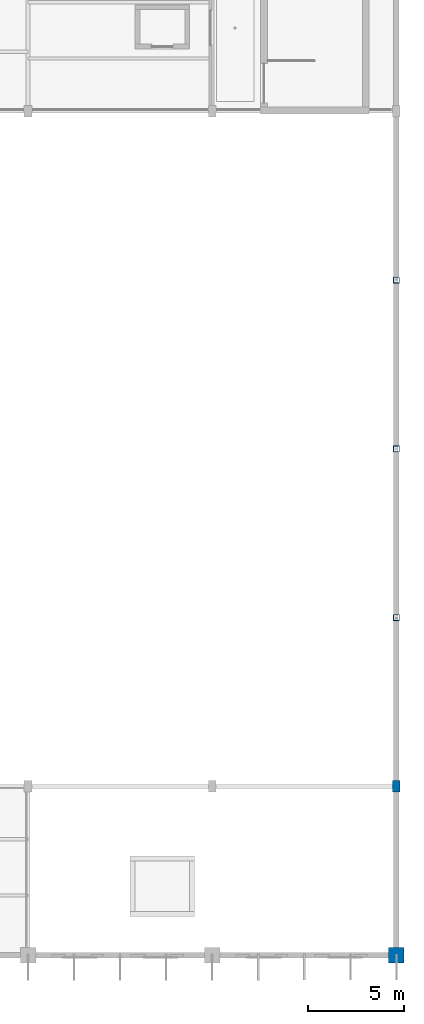
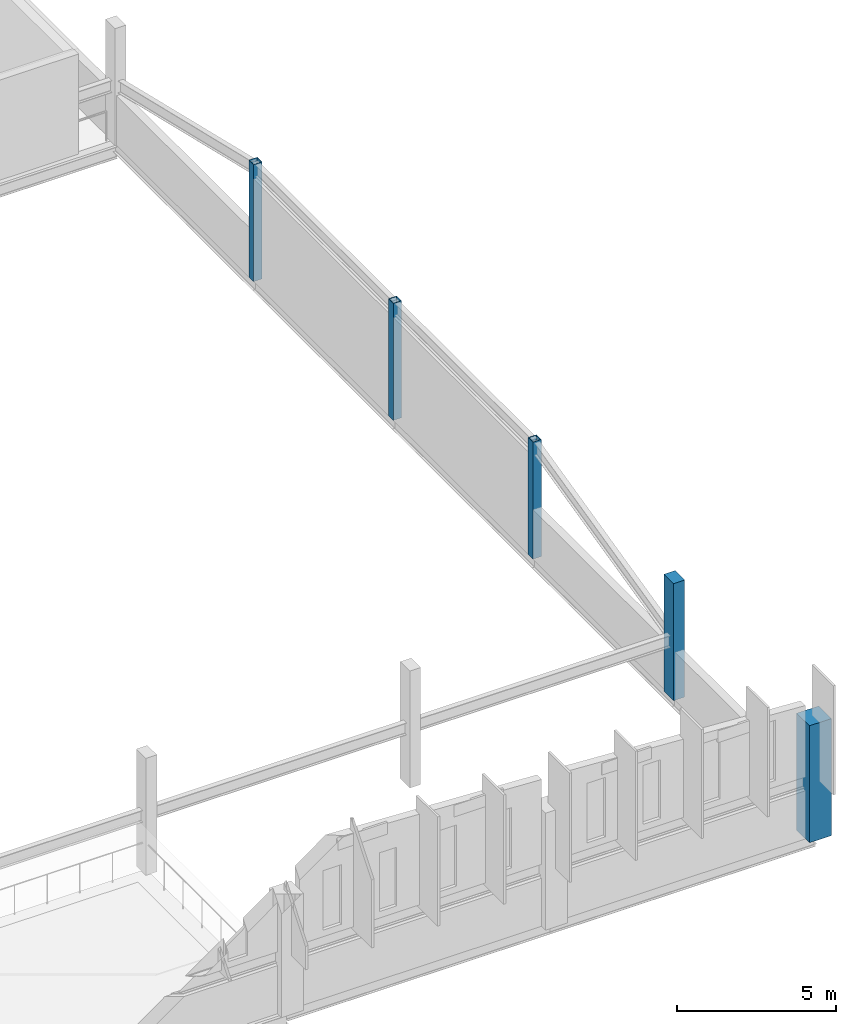
# One storey, part 13 of 114: 5 columns.
"""IFC4 building model written with IfcOpenShell, lengths in metres."""

import ifcopenshell
import ifcopenshell.guid

model = None  # the IFC model being written
_history = None  # IfcOwnerHistory: only IFC2X3 demands one
_inside = {}  # id of a spatial element -> (the spatial element, [elements in it])
_under = {}  # id of a project, library or spatial element -> (it, [spatial elements below it])
_declared = {}  # id of a project -> (the project, [libraries it declares])
_typed = {}  # id of a type object -> (the type object, [elements of that type])
_made_of = {}  # id of a material, layer set ... -> (it, [elements and type objects made of it])


def new_model(schema):
    """Start an empty IFC model of exactly this schema.

    Asked for "IFC4X3", IfcOpenShell would pick the latest addendum, in which some entities
    have other attributes; the version numbers below select the first issue.
    IFC2X3 requires an IfcOwnerHistory on every rooted entity: one is made here for all.
    """
    global model, _history
    if schema == "IFC4X3":
        model = ifcopenshell.file(schema_version=(4, 3, 0, 0))
    else:
        model = ifcopenshell.file(schema=schema)
    _inside.clear()
    _under.clear()
    _declared.clear()
    _typed.clear()
    _made_of.clear()
    _history = None
    if model.schema == "IFC2X3":
        org = make("IfcOrganization", Name="unknown")
        user = make(
            "IfcPersonAndOrganization",
            ThePerson=make("IfcPerson", FamilyName="unknown"),
            TheOrganization=org,
        )
        app = make(
            "IfcApplication",
            ApplicationDeveloper=org,
            Version="unknown",
            ApplicationFullName="unknown",
            ApplicationIdentifier="unknown",
        )
        _history = make(
            "IfcOwnerHistory",
            OwningUser=user,
            OwningApplication=app,
            ChangeAction="ADDED",
            CreationDate=0,
        )
    return model


def make(cls, **values):
    """One entity of the class cls with the attributes given. An attribute that is None is left unset."""
    return model.create_entity(
        cls, **{name: value for name, value in values.items() if value is not None}
    )


def rooted(cls, **values):
    """An entity with a GlobalId (a new one), such as an element, a storey or a relation."""
    return make(cls, GlobalId=ifcopenshell.guid.new(), OwnerHistory=_history, **values)


def si_unit(unit_type, name, prefix=None):
    """IfcSIUnit, for example si_unit("LENGTHUNIT", "METRE", prefix="MILLI")."""
    return make("IfcSIUnit", UnitType=unit_type, Prefix=prefix, Name=name)


def assignment(units):
    """IfcUnitAssignment: the units of a project."""
    return None if units is None else make("IfcUnitAssignment", Units=units)


def point(xyz):
    """IfcCartesianPoint."""
    return None if xyz is None else make("IfcCartesianPoint", Coordinates=xyz)


def direction(xyz):
    """IfcDirection."""
    return None if xyz is None else make("IfcDirection", DirectionRatios=xyz)


def frame(location, z_axis=None, x_axis=None):
    """IfcAxis2Placement3D, a coordinate frame: its origin and axes. An axis left out is left unset."""
    return make(
        "IfcAxis2Placement3D",
        Location=point(location),
        Axis=direction(z_axis),
        RefDirection=direction(x_axis),
    )


def frame_2d(location, x_axis=None):
    """IfcAxis2Placement2D, a coordinate frame in the plane: its origin and x axis."""
    return make(
        "IfcAxis2Placement2D", Location=point(location), RefDirection=direction(x_axis)
    )


def origin():
    """The frame at (0, 0, 0) with its axes left unset."""
    return frame((0.0, 0.0, 0.0))


def origin_2d():
    """The frame at (0, 0) in the plane with its x axis left unset."""
    return frame_2d((0.0, 0.0))


def place(relative_to, where):
    """IfcLocalPlacement: puts the frame where relative to a parent placement (None: the world)."""
    return make(
        "IfcLocalPlacement", PlacementRelTo=relative_to, RelativePlacement=where
    )


def context(
    kind, dimensions, precision=None, world=None, true_north=None, identifier=None
):
    """IfcGeometricRepresentationContext, for example the 3D "Model" context."""
    return make(
        "IfcGeometricRepresentationContext",
        ContextIdentifier=identifier,
        ContextType=kind,
        CoordinateSpaceDimension=dimensions,
        Precision=precision,
        WorldCoordinateSystem=world,
        TrueNorth=true_north,
    )


def subcontext(parent, identifier, kind, view, scale=None):
    """IfcGeometricRepresentationSubContext, for example "Body" below "Model"."""
    return make(
        "IfcGeometricRepresentationSubContext",
        ContextIdentifier=identifier,
        ContextType=kind,
        ParentContext=parent,
        TargetScale=scale,
        TargetView=view,
    )


def project(units=None, contexts=None):
    """IfcProject with its units and contexts."""
    return rooted(
        "IfcProject",
        Name="project",
        RepresentationContexts=contexts,
        UnitsInContext=assignment(units),
    )


def spatial(cls, under=None, at=None, **own):
    """A site, building, storey or space (cls), placed at a placement, below another one or the project."""
    s = rooted(cls, ObjectPlacement=at, **own)
    if under is not None:
        _under.setdefault(under.id(), (under, []))[1].append(s)
    return s


def profile(cls, at=None, kind="AREA", **sizes):
    """A parametric profile (cls). Its sizes go by their IFC names, for example OverallWidth=200.0."""
    return make(cls, ProfileType=kind, Position=at, **sizes)


def rectangle(**sizes):
    """IfcRectangleProfileDef."""
    return profile("IfcRectangleProfileDef", **sizes)


def hollow_rectangle(**sizes):
    """IfcRectangleHollowProfileDef."""
    return profile("IfcRectangleHollowProfileDef", **sizes)


def extrude(swept, where, along, depth):
    """IfcExtrudedAreaSolid: the profile swept, set in the frame where, extruded along a direction by depth."""
    return make(
        "IfcExtrudedAreaSolid",
        SweptArea=swept,
        Position=where,
        ExtrudedDirection=direction(along),
        Depth=depth,
    )


def shape(context_of_items, identifier, shape_type, items):
    """IfcShapeRepresentation: the items that make up one representation, for example the "Body"."""
    return make(
        "IfcShapeRepresentation",
        ContextOfItems=context_of_items,
        RepresentationIdentifier=identifier,
        RepresentationType=shape_type,
        Items=items,
    )


def material(Name=None, Category=None):
    """IfcMaterial."""
    return make("IfcMaterial", Name=Name, Category=Category)


def material_profile(
    of_material, cross_section, Name=None, Category=None, Priority=None
):
    """IfcMaterialProfile: a cross section and its material."""
    return make(
        "IfcMaterialProfile",
        Name=Name,
        Material=of_material,
        Profile=cross_section,
        Priority=Priority,
        Category=Category,
    )


def profile_set(profiles, Name=None, composite=None):
    """IfcMaterialProfileSet."""
    return make(
        "IfcMaterialProfileSet",
        Name=Name,
        MaterialProfiles=profiles,
        CompositeProfile=composite,
    )


def made_of(thing, what):
    """Note that an element or type object is made of a material, layer set ...; save() writes the relation."""
    if what is not None:
        _made_of.setdefault(what.id(), (what, []))[1].append(thing)
    return thing


def type_object(cls, material=None, **own):
    """A type object (cls), such as IfcWallType, which elements share."""
    return made_of(rooted(cls, **own), material)


def element(
    cls,
    number,
    at=None,
    inside=None,
    cuts=None,
    type_object=None,
    material=None,
    context=None,
    identifier="Body",
    shape_type=None,
    held_by="IfcProductDefinitionShape",
    body=None,
    shapes=None,
    **own,
):
    """One element of the class cls, such as IfcWall. Its Tag is "e" and its number.

    at: its placement. inside: the storey or other place that contains it. cuts: it is an
    opening in that element (IfcRelVoidsElement). A single representation is given by context,
    identifier, shape_type and body (its items); several are given by shapes. held_by: the class
    of the entity that holds the representations. save() writes the other relations.
    """
    e = rooted(cls, Tag="e%d" % number, ObjectPlacement=at, **own)
    if body is not None:
        shapes = [shape(context, identifier, shape_type, body)]
    if shapes is not None:
        e.Representation = make(held_by, Representations=shapes)
    if inside is not None:
        _inside.setdefault(inside.id(), (inside, []))[1].append(e)
    if cuts is not None:
        rooted(
            "IfcRelVoidsElement", RelatingBuildingElement=cuts, RelatedOpeningElement=e
        )
    if type_object is not None:
        _typed.setdefault(type_object.id(), (type_object, []))[1].append(e)
    return made_of(e, material)


def aggregate(whole, parts):
    """IfcRelAggregates: a whole, such as a stair, and the parts it consists of."""
    return rooted("IfcRelAggregates", RelatingObject=whole, RelatedObjects=parts)


def save(model, path):
    """Write the relations noted so far, then the file.

    IfcRelAggregates (storeys below a building ...), IfcRelContainedInSpatialStructure (elements
    in a storey), IfcRelDefinesByType, IfcRelAssociatesMaterial and IfcRelDeclares: one each for
    every whole, place, type object, material and project.
    """
    for whole, parts in _under.values():
        aggregate(whole, parts)
    for where, things in _inside.values():
        rooted(
            "IfcRelContainedInSpatialStructure",
            RelatedElements=things,
            RelatingStructure=where,
        )
    for kind, things in _typed.values():
        rooted("IfcRelDefinesByType", RelatedObjects=things, RelatingType=kind)
    for what, things in _made_of.values():
        rooted("IfcRelAssociatesMaterial", RelatedObjects=things, RelatingMaterial=what)
    for by, libraries in _declared.values():
        rooted("IfcRelDeclares", RelatingContext=by, RelatedDefinitions=libraries)
    model.write(path)


model = new_model("IFC4")

# Units and contexts
model_context = context("Model", 3, precision=1e-05, world=origin(), true_north=direction((0.0, 1.0)))
body_context = subcontext(model_context, "Body", "Model", "MODEL_VIEW")
ifc_project = project(units=[si_unit("LENGTHUNIT", "METRE"), si_unit("AREAUNIT", "SQUARE_METRE"), si_unit("VOLUMEUNIT", "CUBIC_METRE"), si_unit("PLANEANGLEUNIT", "RADIAN"), si_unit("MASSUNIT", "GRAM", prefix="KILO")], contexts=[model_context])

# Site, building, storey
site_placement = place(None, origin())
site = spatial("IfcSite", under=ifc_project, at=site_placement, CompositionType="ELEMENT")
building_placement = place(site_placement, origin())
building = spatial("IfcBuilding", under=site, at=building_placement, Name="Chalmorin Arch Market", CompositionType="ELEMENT")
storey_placement = place(building_placement, frame((0.0, 0.0, 9.60009765625)))
storey = spatial("IfcBuildingStorey", under=building, at=storey_placement, Name="L02", CompositionType="ELEMENT", Elevation=9.60009765625)

# Columns
ifc_material_1 = material(Name="Concrete C50/60", Category="concrete")
ifc_material_profile_1 = material_profile(ifc_material_1, rectangle(XDim=0.800048828125, YDim=0.800048828125, at=origin_2d()), Name="RC800X800")
ifc_profile_set_1 = profile_set([ifc_material_profile_1], Name="Concrete C50/60")
column_type_1 = type_object("IfcColumnType", Name="ArchPierColumn-800x800", PredefinedType="COLUMN", material=ifc_profile_set_1)
column_1_placement = place(storey_placement, frame((124.800048828125, 6.0, 0.0), z_axis=(0.0, 0.0, 1.0), x_axis=(1.0, 0.0, 0.0)))
element("IfcColumn", 1, at=column_1_placement, inside=storey, type_object=column_type_1, Name="C-AP1-645", PredefinedType="COLUMN", context=body_context, shape_type="SweptSolid", body=[
    extrude(rectangle(XDim=0.800048828125, YDim=0.800048828125, at=origin_2d()), origin(), (0.0, 0.0, 1.0), 4.5),
])
ifc_material_2 = material(Name="Concrete C40/50", Category="concrete")
ifc_material_profile_2 = material_profile(ifc_material_2, rectangle(XDim=0.39990234375, YDim=0.60009765625, at=origin_2d()), Name="RC400X600")
ifc_profile_set_2 = profile_set([ifc_material_profile_2], Name="Concrete C40/50")
column_type_2 = type_object("IfcColumnType", Name="GalleryConcreteColumn-400x600", PredefinedType="COLUMN", material=ifc_profile_set_2)
column_2_placement = place(storey_placement, frame((124.800048828125, 14.800048828125, 0.0), z_axis=(0.0, 0.0, 1.0), x_axis=(1.0, 0.0, 0.0)))
element("IfcColumn", 2, at=column_2_placement, inside=storey, type_object=column_type_2, Name="C-RC5-650", PredefinedType="COLUMN", context=body_context, shape_type="SweptSolid", body=[
    extrude(rectangle(XDim=0.39990234375, YDim=0.60009765625, at=origin_2d()), origin(), (0.0, 0.0, 1.0), 4.5),
])
ifc_material_3 = material(Name="Steel A500 Grade C", Category="steel")
ifc_material_profile_3 = material_profile(ifc_material_3, hollow_rectangle(XDim=0.3046875, YDim=0.3046875, WallThickness=0.01171875, at=origin_2d()), Name="HSS12X12X1/2")
ifc_profile_set_3 = profile_set([ifc_material_profile_3], Name="Steel A500 Grade C")
column_type_3 = type_object("IfcColumnType", Name="SteelTubeColumn-HSS12X12", PredefinedType="COLUMN", material=ifc_profile_set_3)
for number, where, z_axis, x_axis, name in (
    (3, (124.800048828125, 23.60009765625, 0.0), (0.0, 0.0, 1.0), (1.0, 0.0, 0.0), "C-HS1-655"),
    (4, (124.800048828125, 32.39990234375, 0.0), (0.0, 0.0, 1.0), (1.0, 0.0, 0.0), "C-HS1-660"),
    (5, (124.800048828125, 41.199951171875, 0.0), (0.0, 0.0, 1.0), (1.0, 0.0, 0.0), "C-HS1-665"),
):
    element("IfcColumn", number, at=place(storey_placement, frame(where, z_axis=z_axis, x_axis=x_axis)), inside=storey, type_object=column_type_3, Name=name, PredefinedType="COLUMN", context=body_context, shape_type="SweptSolid", body=[
        extrude(hollow_rectangle(XDim=0.3046875, YDim=0.3046875, WallThickness=0.01171875, at=origin_2d()), origin(), (0.0, 0.0, 1.0), 4.5),
    ])

save(model, "model.ifc")
